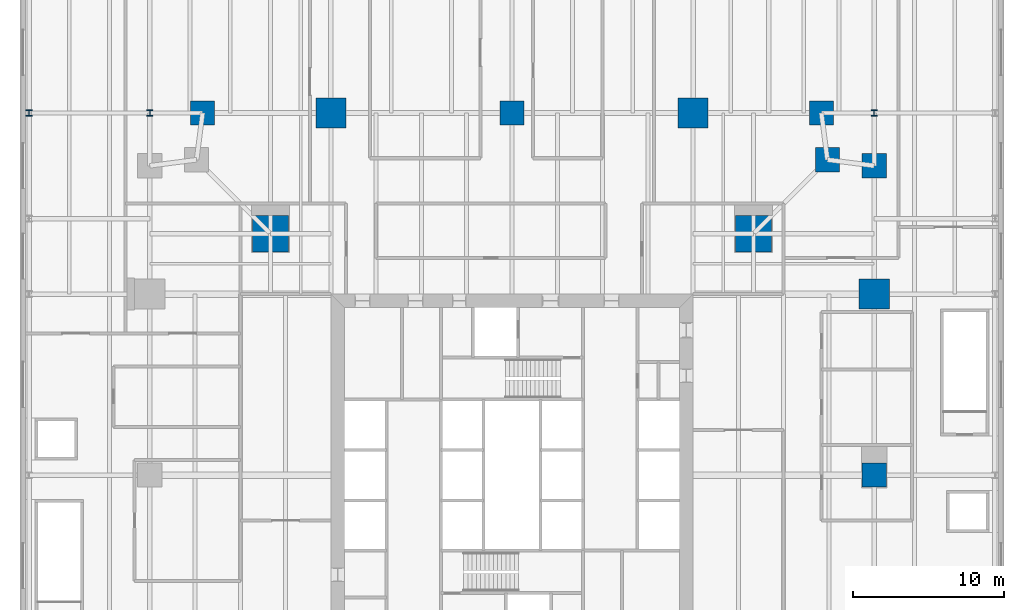
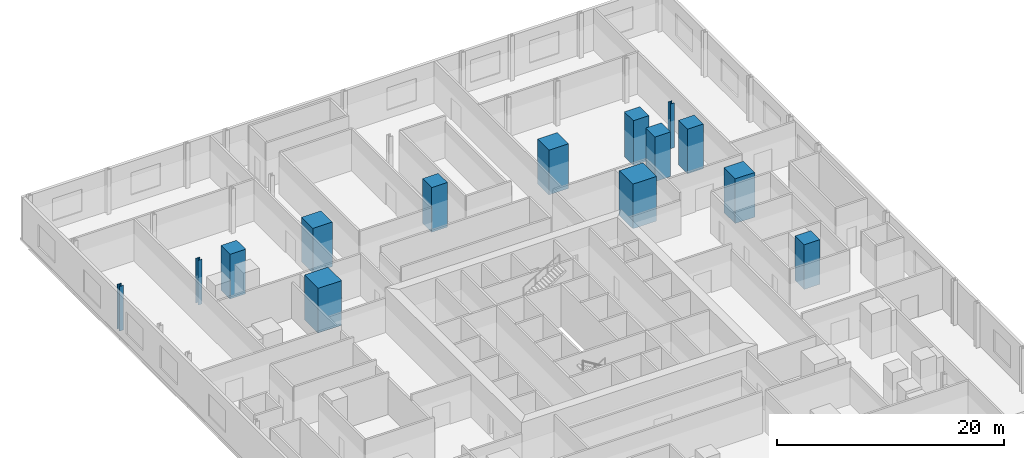
# One storey, part 2 of 15: 14 columns.
"""IFC4 building model written with IfcOpenShell, lengths in metres."""

from ifc_helpers import new_model, si_unit, direction, frame, origin, origin_2d, place, context, subcontext, project, spatial, rectangle, i_section, extrude, material, material_profile, profile_set, type_object, element, save


model = new_model("IFC4")

# Units and contexts
model_context = context("Model", 3, precision=1e-05, world=origin(), true_north=direction((0.0, 1.0)))
body_context = subcontext(model_context, "Body", "Model", "MODEL_VIEW")
ifc_project = project(units=[si_unit("LENGTHUNIT", "METRE"), si_unit("AREAUNIT", "SQUARE_METRE"), si_unit("VOLUMEUNIT", "CUBIC_METRE"), si_unit("PLANEANGLEUNIT", "RADIAN"), si_unit("MASSUNIT", "GRAM", prefix="KILO")], contexts=[model_context])

# Site, building, storey
site_placement = place(None, origin())
site = spatial("IfcSite", under=ifc_project, at=site_placement, CompositionType="ELEMENT")
building_placement = place(site_placement, origin())
building = spatial("IfcBuilding", under=site, at=building_placement, Name="Fenwick Lantern Interchange", CompositionType="ELEMENT")
storey_placement = place(building_placement, frame((0.0, 0.0, 26.199951171875)))
storey = spatial("IfcBuildingStorey", under=building, at=storey_placement, Name="L05", CompositionType="ELEMENT", Elevation=26.199951171875)

# Columns
ifc_material_1 = material(Name="Concrete f'c 70 MPa", Category="concrete")
ifc_material_profile_1 = material_profile(ifc_material_1, rectangle(XDim=2.39990234375, YDim=2.39990234375, at=origin_2d()), Name="RC2400X2400")
ifc_profile_set_1 = profile_set([ifc_material_profile_1], Name="Concrete f'c 70 MPa")
column_type_1 = type_object("IfcColumnType", Name="MEGA COLUMN RC2400X2400", PredefinedType="COLUMN", material=ifc_profile_set_1)
for number, where, z_axis, x_axis, name in (
    (1, (41.0, 41.0, 0.0), (0.0, 0.0, 1.0), (1.0, 0.0, 0.0), "L05/M3"),
    (2, (9.0, 41.0, 0.0), (0.0, 0.0, 1.0), (1.0, 0.0, 0.0), "L05/M4"),
):
    element("IfcColumn", number, at=place(storey_placement, frame(where, z_axis=z_axis, x_axis=x_axis)), inside=storey, type_object=column_type_1, Name=name, PredefinedType="COLUMN", context=body_context, shape_type="SweptSolid", body=[
        extrude(rectangle(XDim=2.39990234375, YDim=2.39990234375, at=origin_2d()), origin(), (0.0, 0.0, 1.0), 4.800048828125),
    ])
ifc_material_profile_2 = material_profile(ifc_material_1, rectangle(XDim=1.60009765625, YDim=1.60009765625, at=origin_2d()), Name="RC1600X1600")
ifc_profile_set_2 = profile_set([ifc_material_profile_2], Name="Concrete f'c 70 MPa")
column_type_2 = type_object("IfcColumnType", Name="PERIMETER COLUMN RC1600X1600", PredefinedType="COLUMN", material=ifc_profile_set_2)
for number, where, z_axis, x_axis, name in (
    (3, (49.0, 25.0, 0.0), (0.0, 0.0, 1.0), (1.0, 0.0, 0.0), "L05/CE3"),
    (4, (49.0, 45.5, 0.0), (0.0, 0.0, 1.0), (1.0, 0.0, 0.0), "L05/CE5"),
    (5, (45.89990234375, 45.89990234375, 0.0), (0.0, 0.0, 1.0), (1.0, 0.0, 0.0), "L05/CER"),
    (6, (45.5, 49.0, 0.0), (0.0, 0.0, 1.0), (1.0, 0.0, 0.0), "L05/CN1"),
    (7, (25.0, 49.0, 0.0), (0.0, 0.0, 1.0), (1.0, 0.0, 0.0), "L05/CN3"),
    (8, (4.5, 49.0, 0.0), (0.0, 0.0, 1.0), (1.0, 0.0, 0.0), "L05/CN5"),
):
    element("IfcColumn", number, at=place(storey_placement, frame(where, z_axis=z_axis, x_axis=x_axis)), inside=storey, type_object=column_type_2, Name=name, PredefinedType="COLUMN", context=body_context, shape_type="SweptSolid", body=[
        extrude(rectangle(XDim=1.60009765625, YDim=1.60009765625, at=origin_2d()), origin(), (0.0, 0.0, 1.0), 4.800048828125),
    ])
ifc_material_profile_3 = material_profile(ifc_material_1, rectangle(XDim=2.0, YDim=2.0, at=origin_2d()), Name="RC2000X2000")
ifc_profile_set_3 = profile_set([ifc_material_profile_3], Name="Concrete f'c 70 MPa")
column_type_3 = type_object("IfcColumnType", Name="PERIMETER COLUMN RC2000X2000", PredefinedType="COLUMN", material=ifc_profile_set_3)
for number, where, z_axis, x_axis, name in (
    (9, (49.0, 37.0, 0.0), (0.0, 0.0, 1.0), (1.0, 0.0, 0.0), "L05/CE4"),
    (10, (37.0, 49.0, 0.0), (0.0, 0.0, 1.0), (1.0, 0.0, 0.0), "L05/CN2"),
    (11, (13.0, 49.0, 0.0), (0.0, 0.0, 1.0), (1.0, 0.0, 0.0), "L05/CN4"),
):
    element("IfcColumn", number, at=place(storey_placement, frame(where, z_axis=z_axis, x_axis=x_axis)), inside=storey, type_object=column_type_3, Name=name, PredefinedType="COLUMN", context=body_context, shape_type="SweptSolid", body=[
        extrude(rectangle(XDim=2.0, YDim=2.0, at=origin_2d()), origin(), (0.0, 0.0, 1.0), 4.800048828125),
    ])
ifc_material_2 = material(Name="Steel ASTM A992 Grade 50", Category="steel")
ifc_material_profile_4 = material_profile(ifc_material_2, i_section(OverallWidth=0.406494140625, OverallDepth=0.41650390625, WebThickness=0.030029296875, FlangeThickness=0.048095703125, at=origin_2d()), Name="W14X257")
ifc_profile_set_4 = profile_set([ifc_material_profile_4], Name="Steel ASTM A992 Grade 50")
column_type_4 = type_object("IfcColumnType", Name="PODIUM COLUMN W14X257", PredefinedType="COLUMN", material=ifc_profile_set_4)
for number, where, z_axis, x_axis, name in (
    (12, (-7.0, 49.0, 0.0), (0.0, 0.0, 1.0), (1.0, 0.0, 0.0), "L05/PJ2"),
    (13, (1.0, 49.0, 0.0), (0.0, 0.0, 1.0), (1.0, 0.0, 0.0), "L05/PJ3"),
    (14, (49.0, 49.0, 0.0), (0.0, 0.0, 1.0), (1.0, 0.0, 0.0), "L05/PJ9"),
):
    element("IfcColumn", number, at=place(storey_placement, frame(where, z_axis=z_axis, x_axis=x_axis)), inside=storey, type_object=column_type_4, Name=name, PredefinedType="COLUMN", context=body_context, shape_type="SweptSolid", body=[
        extrude(i_section(OverallWidth=0.406494140625, OverallDepth=0.41650390625, WebThickness=0.030029296875, FlangeThickness=0.048095703125, at=origin_2d()), origin(), (0.0, 0.0, 1.0), 4.800048828125),
    ])

save(model, "model.ifc")
